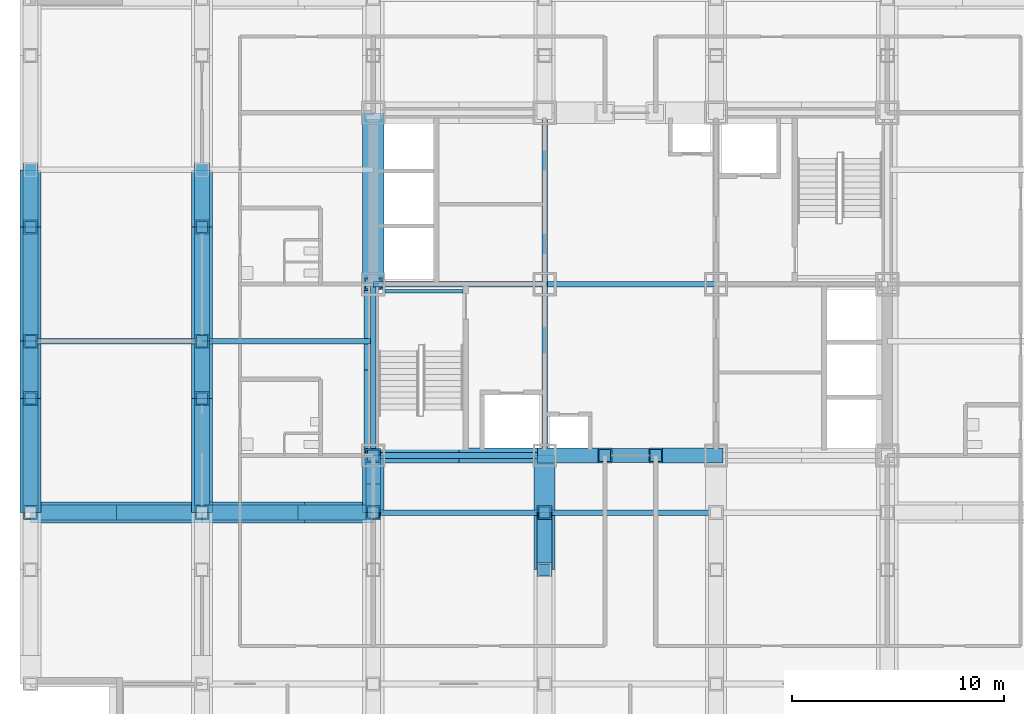
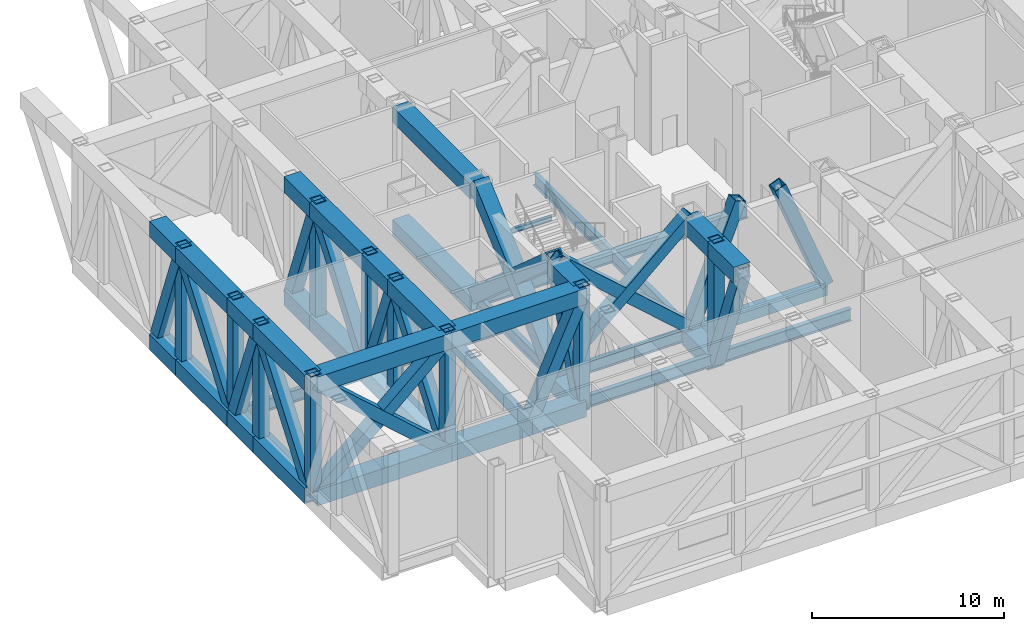
# One storey, part 2 of 13: 59 members, 12 beams.
"""IFC4 building model written with IfcOpenShell, lengths in metres."""

import ifcopenshell
import ifcopenshell.guid

model = None  # the IFC model being written
_history = None  # IfcOwnerHistory: only IFC2X3 demands one
_inside = {}  # id of a spatial element -> (the spatial element, [elements in it])
_under = {}  # id of a project, library or spatial element -> (it, [spatial elements below it])
_declared = {}  # id of a project -> (the project, [libraries it declares])
_typed = {}  # id of a type object -> (the type object, [elements of that type])
_made_of = {}  # id of a material, layer set ... -> (it, [elements and type objects made of it])


def new_model(schema):
    """Start an empty IFC model of exactly this schema.

    Asked for "IFC4X3", IfcOpenShell would pick the latest addendum, in which some entities
    have other attributes; the version numbers below select the first issue.
    IFC2X3 requires an IfcOwnerHistory on every rooted entity: one is made here for all.
    """
    global model, _history
    if schema == "IFC4X3":
        model = ifcopenshell.file(schema_version=(4, 3, 0, 0))
    else:
        model = ifcopenshell.file(schema=schema)
    _inside.clear()
    _under.clear()
    _declared.clear()
    _typed.clear()
    _made_of.clear()
    _history = None
    if model.schema == "IFC2X3":
        org = make("IfcOrganization", Name="unknown")
        user = make(
            "IfcPersonAndOrganization",
            ThePerson=make("IfcPerson", FamilyName="unknown"),
            TheOrganization=org,
        )
        app = make(
            "IfcApplication",
            ApplicationDeveloper=org,
            Version="unknown",
            ApplicationFullName="unknown",
            ApplicationIdentifier="unknown",
        )
        _history = make(
            "IfcOwnerHistory",
            OwningUser=user,
            OwningApplication=app,
            ChangeAction="ADDED",
            CreationDate=0,
        )
    return model


def make(cls, **values):
    """One entity of the class cls with the attributes given. An attribute that is None is left unset."""
    return model.create_entity(
        cls, **{name: value for name, value in values.items() if value is not None}
    )


def rooted(cls, **values):
    """An entity with a GlobalId (a new one), such as an element, a storey or a relation."""
    return make(cls, GlobalId=ifcopenshell.guid.new(), OwnerHistory=_history, **values)


def si_unit(unit_type, name, prefix=None):
    """IfcSIUnit, for example si_unit("LENGTHUNIT", "METRE", prefix="MILLI")."""
    return make("IfcSIUnit", UnitType=unit_type, Prefix=prefix, Name=name)


def assignment(units):
    """IfcUnitAssignment: the units of a project."""
    return None if units is None else make("IfcUnitAssignment", Units=units)


def point(xyz):
    """IfcCartesianPoint."""
    return None if xyz is None else make("IfcCartesianPoint", Coordinates=xyz)


def direction(xyz):
    """IfcDirection."""
    return None if xyz is None else make("IfcDirection", DirectionRatios=xyz)


def frame(location, z_axis=None, x_axis=None):
    """IfcAxis2Placement3D, a coordinate frame: its origin and axes. An axis left out is left unset."""
    return make(
        "IfcAxis2Placement3D",
        Location=point(location),
        Axis=direction(z_axis),
        RefDirection=direction(x_axis),
    )


def frame_2d(location, x_axis=None):
    """IfcAxis2Placement2D, a coordinate frame in the plane: its origin and x axis."""
    return make(
        "IfcAxis2Placement2D", Location=point(location), RefDirection=direction(x_axis)
    )


def origin():
    """The frame at (0, 0, 0) with its axes left unset."""
    return frame((0.0, 0.0, 0.0))


def origin_2d():
    """The frame at (0, 0) in the plane with its x axis left unset."""
    return frame_2d((0.0, 0.0))


def place(relative_to, where):
    """IfcLocalPlacement: puts the frame where relative to a parent placement (None: the world)."""
    return make(
        "IfcLocalPlacement", PlacementRelTo=relative_to, RelativePlacement=where
    )


def context(
    kind, dimensions, precision=None, world=None, true_north=None, identifier=None
):
    """IfcGeometricRepresentationContext, for example the 3D "Model" context."""
    return make(
        "IfcGeometricRepresentationContext",
        ContextIdentifier=identifier,
        ContextType=kind,
        CoordinateSpaceDimension=dimensions,
        Precision=precision,
        WorldCoordinateSystem=world,
        TrueNorth=true_north,
    )


def subcontext(parent, identifier, kind, view, scale=None):
    """IfcGeometricRepresentationSubContext, for example "Body" below "Model"."""
    return make(
        "IfcGeometricRepresentationSubContext",
        ContextIdentifier=identifier,
        ContextType=kind,
        ParentContext=parent,
        TargetScale=scale,
        TargetView=view,
    )


def project(units=None, contexts=None):
    """IfcProject with its units and contexts."""
    return rooted(
        "IfcProject",
        Name="project",
        RepresentationContexts=contexts,
        UnitsInContext=assignment(units),
    )


def spatial(cls, under=None, at=None, **own):
    """A site, building, storey or space (cls), placed at a placement, below another one or the project."""
    s = rooted(cls, ObjectPlacement=at, **own)
    if under is not None:
        _under.setdefault(under.id(), (under, []))[1].append(s)
    return s


def profile(cls, at=None, kind="AREA", **sizes):
    """A parametric profile (cls). Its sizes go by their IFC names, for example OverallWidth=200.0."""
    return make(cls, ProfileType=kind, Position=at, **sizes)


def hollow_rectangle(**sizes):
    """IfcRectangleHollowProfileDef."""
    return profile("IfcRectangleHollowProfileDef", **sizes)


def i_section(**sizes):
    """IfcIShapeProfileDef."""
    return profile("IfcIShapeProfileDef", **sizes)


def extrude(swept, where, along, depth):
    """IfcExtrudedAreaSolid: the profile swept, set in the frame where, extruded along a direction by depth."""
    return make(
        "IfcExtrudedAreaSolid",
        SweptArea=swept,
        Position=where,
        ExtrudedDirection=direction(along),
        Depth=depth,
    )


def shape(context_of_items, identifier, shape_type, items):
    """IfcShapeRepresentation: the items that make up one representation, for example the "Body"."""
    return make(
        "IfcShapeRepresentation",
        ContextOfItems=context_of_items,
        RepresentationIdentifier=identifier,
        RepresentationType=shape_type,
        Items=items,
    )


def material(Name=None, Category=None):
    """IfcMaterial."""
    return make("IfcMaterial", Name=Name, Category=Category)


def material_profile(
    of_material, cross_section, Name=None, Category=None, Priority=None
):
    """IfcMaterialProfile: a cross section and its material."""
    return make(
        "IfcMaterialProfile",
        Name=Name,
        Material=of_material,
        Profile=cross_section,
        Priority=Priority,
        Category=Category,
    )


def profile_set(profiles, Name=None, composite=None):
    """IfcMaterialProfileSet."""
    return make(
        "IfcMaterialProfileSet",
        Name=Name,
        MaterialProfiles=profiles,
        CompositeProfile=composite,
    )


def made_of(thing, what):
    """Note that an element or type object is made of a material, layer set ...; save() writes the relation."""
    if what is not None:
        _made_of.setdefault(what.id(), (what, []))[1].append(thing)
    return thing


def type_object(cls, material=None, **own):
    """A type object (cls), such as IfcWallType, which elements share."""
    return made_of(rooted(cls, **own), material)


def element(
    cls,
    number,
    at=None,
    inside=None,
    cuts=None,
    type_object=None,
    material=None,
    context=None,
    identifier="Body",
    shape_type=None,
    held_by="IfcProductDefinitionShape",
    body=None,
    shapes=None,
    **own,
):
    """One element of the class cls, such as IfcWall. Its Tag is "e" and its number.

    at: its placement. inside: the storey or other place that contains it. cuts: it is an
    opening in that element (IfcRelVoidsElement). A single representation is given by context,
    identifier, shape_type and body (its items); several are given by shapes. held_by: the class
    of the entity that holds the representations. save() writes the other relations.
    """
    e = rooted(cls, Tag="e%d" % number, ObjectPlacement=at, **own)
    if body is not None:
        shapes = [shape(context, identifier, shape_type, body)]
    if shapes is not None:
        e.Representation = make(held_by, Representations=shapes)
    if inside is not None:
        _inside.setdefault(inside.id(), (inside, []))[1].append(e)
    if cuts is not None:
        rooted(
            "IfcRelVoidsElement", RelatingBuildingElement=cuts, RelatedOpeningElement=e
        )
    if type_object is not None:
        _typed.setdefault(type_object.id(), (type_object, []))[1].append(e)
    return made_of(e, material)


def aggregate(whole, parts):
    """IfcRelAggregates: a whole, such as a stair, and the parts it consists of."""
    return rooted("IfcRelAggregates", RelatingObject=whole, RelatedObjects=parts)


def save(model, path):
    """Write the relations noted so far, then the file.

    IfcRelAggregates (storeys below a building ...), IfcRelContainedInSpatialStructure (elements
    in a storey), IfcRelDefinesByType, IfcRelAssociatesMaterial and IfcRelDeclares: one each for
    every whole, place, type object, material and project.
    """
    for whole, parts in _under.values():
        aggregate(whole, parts)
    for where, things in _inside.values():
        rooted(
            "IfcRelContainedInSpatialStructure",
            RelatedElements=things,
            RelatingStructure=where,
        )
    for kind, things in _typed.values():
        rooted("IfcRelDefinesByType", RelatedObjects=things, RelatingType=kind)
    for what, things in _made_of.values():
        rooted("IfcRelAssociatesMaterial", RelatedObjects=things, RelatingMaterial=what)
    for by, libraries in _declared.values():
        rooted("IfcRelDeclares", RelatingContext=by, RelatedDefinitions=libraries)
    model.write(path)


model = new_model("IFC4")

# Units and contexts
model_context = context("Model", 3, precision=1e-05, world=origin(), true_north=direction((0.0, 1.0)))
body_context = subcontext(model_context, "Body", "Model", "MODEL_VIEW")
ifc_project = project(units=[si_unit("LENGTHUNIT", "METRE"), si_unit("AREAUNIT", "SQUARE_METRE"), si_unit("VOLUMEUNIT", "CUBIC_METRE"), si_unit("PLANEANGLEUNIT", "RADIAN"), si_unit("MASSUNIT", "GRAM", prefix="KILO")], contexts=[model_context])

# Site, building, storey
site_placement = place(None, origin())
site = spatial("IfcSite", under=ifc_project, at=site_placement, CompositionType="ELEMENT")
building_placement = place(site_placement, origin())
building = spatial("IfcBuilding", under=site, at=building_placement, Name="Kopane Lantern Tower", CompositionType="ELEMENT")
storey_placement = place(building_placement, frame((0.0, 0.0, 157.800048828125)))
storey = spatial("IfcBuildingStorey", under=building, at=storey_placement, Name="L41", CompositionType="ELEMENT", Elevation=157.800048828125)

# Members
ifc_material_1 = material(Name="Steel S355JR", Category="steel")
ifc_material_profile_1 = material_profile(ifc_material_1, hollow_rectangle(XDim=0.699951171875, YDim=0.699951171875, WallThickness=0.06005859375, at=origin_2d()), Name="BOX 700x700x60")
ifc_profile_set_1 = profile_set([ifc_material_profile_1], Name="Steel S355JR")
member_type_1 = type_object("IfcMemberType", Name="BRACE BOX 700x700x60", PredefinedType="BRACE", material=ifc_profile_set_1)
for number, where, z_axis, x_axis, name in (
    (1, (16.199951171875, 24.300048828125, -0.25), (0.747415533118, 0.0, 0.664356847525), (0.0, 1.0, 0.0), "Core brace L41"),
    (2, (24.300048828125, 24.300048828125, -0.25), (-0.747415533118, 0.0, 0.664356847525), (0.0, -1.0, 0.0), "Core brace L41"),
):
    element("IfcMember", number, at=place(storey_placement, frame(where, z_axis=z_axis, x_axis=x_axis)), inside=storey, type_object=member_type_1, Name=name, PredefinedType="BRACE", context=body_context, shape_type="SweptSolid", body=[
        extrude(hollow_rectangle(XDim=0.699951171875, YDim=0.699951171875, WallThickness=0.06005859375, at=origin_2d()), origin(), (0.0, 0.0, 1.0), 10.83740234375),
    ])
for number, where, z_axis, x_axis, name in (
    (3, (24.300048828125, 24.300048828125, -0.25), (0.368034254187, 0.0, 0.929812232521), (0.0, 1.0, 0.0), "Core brace L41"),
    (4, (32.39990234375, 24.300048828125, -0.25), (-0.368034254187, 0.0, 0.929812232521), (0.0, -1.0, 0.0), "Core brace L41"),
):
    element("IfcMember", number, at=place(storey_placement, frame(where, z_axis=z_axis, x_axis=x_axis)), inside=storey, type_object=member_type_1, Name=name, PredefinedType="BRACE", context=body_context, shape_type="SweptSolid", body=[
        extrude(hollow_rectangle(XDim=0.699951171875, YDim=0.699951171875, WallThickness=0.06005859375, at=origin_2d()), origin(), (0.0, 0.0, 1.0), 7.743408203125),
    ])
ifc_material_2 = material(Name="Steel S355JR", Category="steel")
ifc_material_profile_2 = material_profile(ifc_material_2, hollow_rectangle(XDim=0.89990234375, YDim=0.89990234375, WallThickness=0.090087890625, at=origin_2d()), Name="BOX 900x900x90")
ifc_profile_set_2 = profile_set([ifc_material_profile_2], Name="Steel S355JR")
member_type_2 = type_object("IfcMemberType", Name="BRACE BOX 900x900x90", PredefinedType="BRACE", material=ifc_profile_set_2)
for number, where, z_axis, x_axis, name in (
    (5, (16.199951171875, 24.300048828125, -0.25), (0.0, 0.747405589929, 0.664368033655), (-1.0, 0.0, 0.0), "Core brace L41"),
    (6, (16.199951171875, 32.39990234375, -0.25), (0.0, -0.747405589929, 0.664368033655), (1.0, 0.0, 0.0), "Core brace L41"),
):
    element("IfcMember", number, at=place(storey_placement, frame(where, z_axis=z_axis, x_axis=x_axis)), inside=storey, type_object=member_type_2, Name=name, PredefinedType="BRACE", context=body_context, shape_type="SweptSolid", body=[
        extrude(hollow_rectangle(XDim=0.89990234375, YDim=0.89990234375, WallThickness=0.090087890625, at=origin_2d()), origin(), (0.0, 0.0, 1.0), 10.83740234375),
    ])

# Beams
ifc_material_3 = material(Name="Steel S355JR", Category="steel")
ifc_material_profile_3 = material_profile(ifc_material_3, i_section(OverallWidth=0.2666015625, OverallDepth=0.76220703125, WebThickness=0.014404296875, FlangeThickness=0.021484375, FilletRadius=0.0166015625, at=origin_2d()), Name="UB 762x267x173")
ifc_profile_set_3 = profile_set([ifc_material_profile_3], Name="Steel S355JR")
beam_type_1 = type_object("IfcBeamType", Name="CORE BEAM UB 762x267x173", PredefinedType="BEAM", material=ifc_profile_set_3)
beam_1_placement = place(storey_placement, frame((16.199951171875, 32.39990234375, -0.631103515625), z_axis=(1.0, 0.0, 0.0), x_axis=(0.0, 1.0, 0.0)))
element("IfcBeam", 7, at=beam_1_placement, inside=storey, type_object=beam_type_1, Name="Core Beam L41", PredefinedType="BEAM", context=body_context, shape_type="SweptSolid", body=[
    extrude(i_section(OverallWidth=0.2666015625, OverallDepth=0.76220703125, WebThickness=0.014404296875, FlangeThickness=0.021484375, FilletRadius=0.0166015625, at=origin_2d()), origin(), (0.0, 0.0, 1.0), 8.10009765625),
])
beam_2_placement = place(storey_placement, frame((24.300048828125, 24.300048828125, -0.631103515625), z_axis=(0.0, 1.0, 0.0), x_axis=(-1.0, 0.0, 0.0)))
element("IfcBeam", 8, at=beam_2_placement, inside=storey, type_object=beam_type_1, Name="Core Beam L41", PredefinedType="BEAM", context=body_context, shape_type="SweptSolid", body=[
    extrude(i_section(OverallWidth=0.2666015625, OverallDepth=0.76220703125, WebThickness=0.014404296875, FlangeThickness=0.021484375, FilletRadius=0.0166015625, at=origin_2d()), origin(), (0.0, 0.0, 1.0), 8.099853515625),
])
beam_3_placement = place(storey_placement, frame((24.300048828125, 32.39990234375, -0.631103515625), z_axis=(0.0, 1.0, 0.0), x_axis=(-1.0, 0.0, 0.0)))
element("IfcBeam", 9, at=beam_3_placement, inside=storey, type_object=beam_type_1, Name="Core Beam L41", PredefinedType="BEAM", context=body_context, shape_type="SweptSolid", body=[
    extrude(i_section(OverallWidth=0.2666015625, OverallDepth=0.76220703125, WebThickness=0.014404296875, FlangeThickness=0.021484375, FilletRadius=0.0166015625, at=origin_2d()), origin(), (0.0, 0.0, 1.0), 8.10009765625),
])
beam_4_placement = place(storey_placement, frame((24.300048828125, 32.39990234375, -0.631103515625), z_axis=(1.0, 0.0, 0.0), x_axis=(0.0, 1.0, 0.0)))
element("IfcBeam", 10, at=beam_4_placement, inside=storey, type_object=beam_type_1, Name="Core Beam L41", PredefinedType="BEAM", context=body_context, shape_type="SweptSolid", body=[
    extrude(i_section(OverallWidth=0.2666015625, OverallDepth=0.76220703125, WebThickness=0.014404296875, FlangeThickness=0.021484375, FilletRadius=0.0166015625, at=origin_2d()), origin(), (0.0, 0.0, 1.0), 8.099853515625),
])
ifc_material_4 = material(Name="Steel S355JR", Category="steel")
ifc_material_profile_4 = material_profile(ifc_material_4, i_section(OverallWidth=0.26806640625, OverallDepth=0.769775390625, WebThickness=0.015625, FlangeThickness=0.025390625, FilletRadius=0.0166015625, at=origin_2d()), Name="UB 762x267x197")
ifc_profile_set_4 = profile_set([ifc_material_profile_4], Name="Steel S355JR")
beam_type_2 = type_object("IfcBeamType", Name="GIRDER UB 762x267x197", PredefinedType="BEAM", material=ifc_profile_set_4)
beam_5_placement = place(storey_placement, frame((0.0, 29.699951171875, -0.635009765625), z_axis=(1.0, 0.0, 0.0), x_axis=(0.0, 1.0, 0.0)))
element("IfcBeam", 11, at=beam_5_placement, inside=storey, type_object=beam_type_2, Name="Girder L41", PredefinedType="BEAM", context=body_context, shape_type="SweptSolid", body=[
    extrude(i_section(OverallWidth=0.26806640625, OverallDepth=0.769775390625, WebThickness=0.015625, FlangeThickness=0.025390625, FilletRadius=0.0166015625, at=origin_2d()), origin(), (0.0, 0.0, 1.0), 8.10009765625),
])
beam_6_placement = place(storey_placement, frame((8.10009765625, 29.699951171875, -0.635009765625), z_axis=(1.0, 0.0, 0.0), x_axis=(0.0, 1.0, 0.0)))
element("IfcBeam", 12, at=beam_6_placement, inside=storey, type_object=beam_type_2, Name="Girder L41", PredefinedType="BEAM", context=body_context, shape_type="SweptSolid", body=[
    extrude(i_section(OverallWidth=0.26806640625, OverallDepth=0.769775390625, WebThickness=0.015625, FlangeThickness=0.025390625, FilletRadius=0.0166015625, at=origin_2d()), origin(), (0.0, 0.0, 1.0), 8.099853515625),
])
beam_7_placement = place(storey_placement, frame((16.199951171875, 21.60009765625, -0.635009765625), z_axis=(1.0, 0.0, 0.0), x_axis=(0.0, 1.0, 0.0)))
element("IfcBeam", 13, at=beam_7_placement, inside=storey, type_object=beam_type_2, Name="Girder L41", PredefinedType="BEAM", context=body_context, shape_type="SweptSolid", body=[
    extrude(i_section(OverallWidth=0.26806640625, OverallDepth=0.769775390625, WebThickness=0.015625, FlangeThickness=0.025390625, FilletRadius=0.0166015625, at=origin_2d()), origin(), (0.0, 0.0, 1.0), 8.10009765625),
])
beam_8_placement = place(storey_placement, frame((16.199951171875, 24.300048828125, -0.635009765625), z_axis=(0.0, 1.0, 0.0), x_axis=(-1.0, 0.0, 0.0)))
element("IfcBeam", 14, at=beam_8_placement, inside=storey, type_object=beam_type_2, Name="Girder L41", PredefinedType="BEAM", context=body_context, shape_type="SweptSolid", body=[
    extrude(i_section(OverallWidth=0.26806640625, OverallDepth=0.769775390625, WebThickness=0.015625, FlangeThickness=0.025390625, FilletRadius=0.0166015625, at=origin_2d()), origin(), (0.0, 0.0, 1.0), 8.099853515625),
])
beam_9_placement = place(storey_placement, frame((16.199951171875, 24.300048828125, -0.635009765625), z_axis=(1.0, 0.0, 0.0), x_axis=(0.0, 1.0, 0.0)))
element("IfcBeam", 15, at=beam_9_placement, inside=storey, type_object=beam_type_2, Name="Girder L41", PredefinedType="BEAM", context=body_context, shape_type="SweptSolid", body=[
    extrude(i_section(OverallWidth=0.26806640625, OverallDepth=0.769775390625, WebThickness=0.015625, FlangeThickness=0.025390625, FilletRadius=0.0166015625, at=origin_2d()), origin(), (0.0, 0.0, 1.0), 8.10009765625),
])
beam_10_placement = place(storey_placement, frame((24.300048828125, 21.60009765625, -0.635009765625), z_axis=(1.0, 0.0, 0.0), x_axis=(0.0, 1.0, 0.0)))
element("IfcBeam", 16, at=beam_10_placement, inside=storey, type_object=beam_type_2, Name="Girder L41", PredefinedType="BEAM", context=body_context, shape_type="SweptSolid", body=[
    extrude(i_section(OverallWidth=0.26806640625, OverallDepth=0.769775390625, WebThickness=0.015625, FlangeThickness=0.025390625, FilletRadius=0.0166015625, at=origin_2d()), origin(), (0.0, 0.0, 1.0), 8.099853515625),
])
ifc_material_5 = material(Name="Steel S355JR", Category="steel")
ifc_material_profile_5 = material_profile(ifc_material_5, hollow_rectangle(XDim=0.64990234375, YDim=0.64990234375, WallThickness=0.070068359375, at=origin_2d()), Name="BOX 650x650x70")
ifc_profile_set_5 = profile_set([ifc_material_profile_5], Name="Steel S355JR")
beam_type_3 = type_object("IfcBeamType", Name="LINK BEAM BOX 650x650x70", PredefinedType="BEAM", material=ifc_profile_set_5)
beam_11_placement = place(storey_placement, frame((24.300048828125, 24.300048828125, -0.574951171875), z_axis=(1.0, 0.0, 0.0), x_axis=(0.0, 1.0, 0.0)))
element("IfcBeam", 17, at=beam_11_placement, inside=storey, type_object=beam_type_3, Name="Link Beam L41", PredefinedType="BEAM", context=body_context, shape_type="SweptSolid", body=[
    extrude(hollow_rectangle(XDim=0.64990234375, YDim=0.64990234375, WallThickness=0.070068359375, at=origin_2d()), origin(), (0.0, 0.0, 1.0), 8.099853515625),
])
ifc_material_6 = material(Name="Steel S355JR", Category="steel")
ifc_material_profile_6 = material_profile(ifc_material_6, i_section(OverallWidth=0.1650390625, OverallDepth=0.303466796875, WebThickness=0.006103515625, FlangeThickness=0.01025390625, FilletRadius=0.0087890625, at=origin_2d()), Name="UB 305x165x40")
ifc_profile_set_6 = profile_set([ifc_material_profile_6], Name="Steel S355JR")
beam_type_4 = type_object("IfcBeamType", Name="STAIR LANDING BEAM UB 305x165x40", PredefinedType="BEAM", material=ifc_profile_set_6)
beam_12_placement = place(storey_placement, frame((16.75, 32.0673828125, 3.33203125), z_axis=(1.0, 0.0, 0.0), x_axis=(0.0, 1.0, 0.0)))
element("IfcBeam", 18, at=beam_12_placement, inside=storey, type_object=beam_type_4, Name="Stair landing beam ST1 L41", PredefinedType="BEAM", context=body_context, shape_type="SweptSolid", body=[
    extrude(i_section(OverallWidth=0.1650390625, OverallDepth=0.303466796875, WebThickness=0.006103515625, FlangeThickness=0.01025390625, FilletRadius=0.0087890625, at=origin_2d()), origin(), (0.0, 0.0, 1.0), 3.699951171875),
])

# Members
ifc_material_7 = material(Name="Steel S355JR", Category="steel")
ifc_material_profile_7 = material_profile(ifc_material_7, hollow_rectangle(XDim=1.0, YDim=1.0, WallThickness=0.090087890625, at=origin_2d()), Name="BOX 1000x1000x90")
ifc_profile_set_7 = profile_set([ifc_material_profile_7], Name="Steel S355JR")
member_type_3 = type_object("IfcMemberType", Name="TRUSS CHORD BOX 1000x1000x90", PredefinedType="CHORD", material=ifc_profile_set_7)
member_1_placement = place(storey_placement, frame((0.0, 21.60009765625, -0.75), z_axis=(0.0, 1.0, 0.0), x_axis=(-1.0, 0.0, 0.0)))
element("IfcMember", 19, at=member_1_placement, inside=storey, type_object=member_type_3, Name="Transfer truss 2 L41 truss chord", PredefinedType="CHORD", context=body_context, shape_type="SweptSolid", body=[
    extrude(hollow_rectangle(XDim=1.0, YDim=1.0, WallThickness=0.090087890625, at=origin_2d()), origin(), (0.0, 0.0, 1.0), 5.39990234375),
])
member_2_placement = place(storey_placement, frame((0.0, 27.0, -0.75), z_axis=(0.0, 1.0, 0.0), x_axis=(-1.0, 0.0, 0.0)))
element("IfcMember", 20, at=member_2_placement, inside=storey, type_object=member_type_3, Name="Transfer truss 2 L41 truss chord", PredefinedType="CHORD", context=body_context, shape_type="SweptSolid", body=[
    extrude(hollow_rectangle(XDim=1.0, YDim=1.0, WallThickness=0.090087890625, at=origin_2d()), origin(), (0.0, 0.0, 1.0), 2.699951171875),
])
member_3_placement = place(storey_placement, frame((0.0, 29.699951171875, -0.75), z_axis=(0.0, 1.0, 0.0), x_axis=(-1.0, 0.0, 0.0)))
element("IfcMember", 21, at=member_3_placement, inside=storey, type_object=member_type_3, Name="Transfer truss 2 L41 truss chord", PredefinedType="CHORD", context=body_context, shape_type="SweptSolid", body=[
    extrude(hollow_rectangle(XDim=1.0, YDim=1.0, WallThickness=0.090087890625, at=origin_2d()), origin(), (0.0, 0.0, 1.0), 5.400146484375),
])
member_4_placement = place(storey_placement, frame((0.0, 35.10009765625, -0.75), z_axis=(0.0, 1.0, 0.0), x_axis=(-1.0, 0.0, 0.0)))
element("IfcMember", 22, at=member_4_placement, inside=storey, type_object=member_type_3, Name="Transfer truss 2 L41 truss chord", PredefinedType="CHORD", context=body_context, shape_type="SweptSolid", body=[
    extrude(hollow_rectangle(XDim=1.0, YDim=1.0, WallThickness=0.090087890625, at=origin_2d()), origin(), (0.0, 0.0, 1.0), 2.699951171875),
])
member_5_placement = place(storey_placement, frame((0.0, 21.60009765625, 6.449951171875), z_axis=(0.0, 1.0, 0.0), x_axis=(-1.0, 0.0, 0.0)))
element("IfcMember", 23, at=member_5_placement, inside=storey, type_object=member_type_3, Name="Transfer truss 2 L41 truss chord", PredefinedType="CHORD", context=body_context, shape_type="SweptSolid", body=[
    extrude(hollow_rectangle(XDim=1.0, YDim=1.0, WallThickness=0.090087890625, at=origin_2d()), origin(), (0.0, 0.0, 1.0), 5.39990234375),
])
member_6_placement = place(storey_placement, frame((0.0, 27.0, 6.449951171875), z_axis=(0.0, 1.0, 0.0), x_axis=(-1.0, 0.0, 0.0)))
element("IfcMember", 24, at=member_6_placement, inside=storey, type_object=member_type_3, Name="Transfer truss 2 L41 truss chord", PredefinedType="CHORD", context=body_context, shape_type="SweptSolid", body=[
    extrude(hollow_rectangle(XDim=1.0, YDim=1.0, WallThickness=0.090087890625, at=origin_2d()), origin(), (0.0, 0.0, 1.0), 2.699951171875),
])
member_7_placement = place(storey_placement, frame((0.0, 29.699951171875, 6.449951171875), z_axis=(0.0, 1.0, 0.0), x_axis=(-1.0, 0.0, 0.0)))
element("IfcMember", 25, at=member_7_placement, inside=storey, type_object=member_type_3, Name="Transfer truss 2 L41 truss chord", PredefinedType="CHORD", context=body_context, shape_type="SweptSolid", body=[
    extrude(hollow_rectangle(XDim=1.0, YDim=1.0, WallThickness=0.090087890625, at=origin_2d()), origin(), (0.0, 0.0, 1.0), 5.400146484375),
])
member_8_placement = place(storey_placement, frame((0.0, 35.10009765625, 6.449951171875), z_axis=(0.0, 1.0, 0.0), x_axis=(-1.0, 0.0, 0.0)))
element("IfcMember", 26, at=member_8_placement, inside=storey, type_object=member_type_3, Name="Transfer truss 2 L41 truss chord", PredefinedType="CHORD", context=body_context, shape_type="SweptSolid", body=[
    extrude(hollow_rectangle(XDim=1.0, YDim=1.0, WallThickness=0.090087890625, at=origin_2d()), origin(), (0.0, 0.0, 1.0), 2.699951171875),
])
member_9_placement = place(storey_placement, frame((8.10009765625, 21.60009765625, -0.75), z_axis=(0.0, 1.0, 0.0), x_axis=(-1.0, 0.0, 0.0)))
element("IfcMember", 27, at=member_9_placement, inside=storey, type_object=member_type_3, Name="Transfer truss 3 L41 truss chord", PredefinedType="CHORD", context=body_context, shape_type="SweptSolid", body=[
    extrude(hollow_rectangle(XDim=1.0, YDim=1.0, WallThickness=0.090087890625, at=origin_2d()), origin(), (0.0, 0.0, 1.0), 5.39990234375),
])
member_10_placement = place(storey_placement, frame((8.10009765625, 27.0, -0.75), z_axis=(0.0, 1.0, 0.0), x_axis=(-1.0, 0.0, 0.0)))
element("IfcMember", 28, at=member_10_placement, inside=storey, type_object=member_type_3, Name="Transfer truss 3 L41 truss chord", PredefinedType="CHORD", context=body_context, shape_type="SweptSolid", body=[
    extrude(hollow_rectangle(XDim=1.0, YDim=1.0, WallThickness=0.090087890625, at=origin_2d()), origin(), (0.0, 0.0, 1.0), 2.699951171875),
])
member_11_placement = place(storey_placement, frame((8.10009765625, 29.699951171875, -0.75), z_axis=(0.0, 1.0, 0.0), x_axis=(-1.0, 0.0, 0.0)))
element("IfcMember", 29, at=member_11_placement, inside=storey, type_object=member_type_3, Name="Transfer truss 3 L41 truss chord", PredefinedType="CHORD", context=body_context, shape_type="SweptSolid", body=[
    extrude(hollow_rectangle(XDim=1.0, YDim=1.0, WallThickness=0.090087890625, at=origin_2d()), origin(), (0.0, 0.0, 1.0), 5.400146484375),
])
member_12_placement = place(storey_placement, frame((8.10009765625, 35.10009765625, -0.75), z_axis=(0.0, 1.0, 0.0), x_axis=(-1.0, 0.0, 0.0)))
element("IfcMember", 30, at=member_12_placement, inside=storey, type_object=member_type_3, Name="Transfer truss 3 L41 truss chord", PredefinedType="CHORD", context=body_context, shape_type="SweptSolid", body=[
    extrude(hollow_rectangle(XDim=1.0, YDim=1.0, WallThickness=0.090087890625, at=origin_2d()), origin(), (0.0, 0.0, 1.0), 2.699951171875),
])
member_13_placement = place(storey_placement, frame((8.10009765625, 21.60009765625, 6.449951171875), z_axis=(0.0, 1.0, 0.0), x_axis=(-1.0, 0.0, 0.0)))
element("IfcMember", 31, at=member_13_placement, inside=storey, type_object=member_type_3, Name="Transfer truss 3 L41 truss chord", PredefinedType="CHORD", context=body_context, shape_type="SweptSolid", body=[
    extrude(hollow_rectangle(XDim=1.0, YDim=1.0, WallThickness=0.090087890625, at=origin_2d()), origin(), (0.0, 0.0, 1.0), 5.39990234375),
])
member_14_placement = place(storey_placement, frame((8.10009765625, 27.0, 6.449951171875), z_axis=(0.0, 1.0, 0.0), x_axis=(-1.0, 0.0, 0.0)))
element("IfcMember", 32, at=member_14_placement, inside=storey, type_object=member_type_3, Name="Transfer truss 3 L41 truss chord", PredefinedType="CHORD", context=body_context, shape_type="SweptSolid", body=[
    extrude(hollow_rectangle(XDim=1.0, YDim=1.0, WallThickness=0.090087890625, at=origin_2d()), origin(), (0.0, 0.0, 1.0), 2.699951171875),
])
member_15_placement = place(storey_placement, frame((8.10009765625, 29.699951171875, 6.449951171875), z_axis=(0.0, 1.0, 0.0), x_axis=(-1.0, 0.0, 0.0)))
element("IfcMember", 33, at=member_15_placement, inside=storey, type_object=member_type_3, Name="Transfer truss 3 L41 truss chord", PredefinedType="CHORD", context=body_context, shape_type="SweptSolid", body=[
    extrude(hollow_rectangle(XDim=1.0, YDim=1.0, WallThickness=0.090087890625, at=origin_2d()), origin(), (0.0, 0.0, 1.0), 5.400146484375),
])
for number, where, z_axis, x_axis, name in (
    (34, (8.10009765625, 35.10009765625, 6.449951171875), (0.0, 1.0, 0.0), (-1.0, 0.0, 0.0), "Transfer truss 3 L41 truss chord"),
    (35, (16.199951171875, 21.60009765625, -0.75), (0.0, 1.0, 0.0), (-1.0, 0.0, 0.0), "Transfer truss 4 L41 truss chord"),
):
    element("IfcMember", number, at=place(storey_placement, frame(where, z_axis=z_axis, x_axis=x_axis)), inside=storey, type_object=member_type_3, Name=name, PredefinedType="CHORD", context=body_context, shape_type="SweptSolid", body=[
        extrude(hollow_rectangle(XDim=1.0, YDim=1.0, WallThickness=0.090087890625, at=origin_2d()), origin(), (0.0, 0.0, 1.0), 2.699951171875),
    ])
member_16_placement = place(storey_placement, frame((16.199951171875, 32.39990234375, -0.75), z_axis=(0.0, 1.0, 0.0), x_axis=(-1.0, 0.0, 0.0)))
element("IfcMember", 36, at=member_16_placement, inside=storey, type_object=member_type_3, Name="Transfer truss 4 L41 truss chord", PredefinedType="CHORD", context=body_context, shape_type="SweptSolid", body=[
    extrude(hollow_rectangle(XDim=1.0, YDim=1.0, WallThickness=0.090087890625, at=origin_2d()), origin(), (0.0, 0.0, 1.0), 8.10009765625),
])
member_17_placement = place(storey_placement, frame((16.199951171875, 21.60009765625, 6.449951171875), z_axis=(0.0, 1.0, 0.0), x_axis=(-1.0, 0.0, 0.0)))
element("IfcMember", 37, at=member_17_placement, inside=storey, type_object=member_type_3, Name="Transfer truss 4 L41 truss chord", PredefinedType="CHORD", context=body_context, shape_type="SweptSolid", body=[
    extrude(hollow_rectangle(XDim=1.0, YDim=1.0, WallThickness=0.090087890625, at=origin_2d()), origin(), (0.0, 0.0, 1.0), 2.699951171875),
])
member_18_placement = place(storey_placement, frame((16.199951171875, 32.39990234375, 6.449951171875), z_axis=(0.0, 1.0, 0.0), x_axis=(-1.0, 0.0, 0.0)))
element("IfcMember", 38, at=member_18_placement, inside=storey, type_object=member_type_3, Name="Transfer truss 4 L41 truss chord", PredefinedType="CHORD", context=body_context, shape_type="SweptSolid", body=[
    extrude(hollow_rectangle(XDim=1.0, YDim=1.0, WallThickness=0.090087890625, at=origin_2d()), origin(), (0.0, 0.0, 1.0), 8.10009765625),
])
member_19_placement = place(storey_placement, frame((24.300048828125, 21.60009765625, -0.75), z_axis=(0.0, 1.0, 0.0), x_axis=(-1.0, 0.0, 0.0)))
element("IfcMember", 39, at=member_19_placement, inside=storey, type_object=member_type_3, Name="Transfer truss 5 L41 truss chord", PredefinedType="CHORD", context=body_context, shape_type="SweptSolid", body=[
    extrude(hollow_rectangle(XDim=1.0, YDim=1.0, WallThickness=0.090087890625, at=origin_2d()), origin(), (0.0, 0.0, 1.0), 2.699951171875),
])
member_20_placement = place(storey_placement, frame((24.300048828125, 18.89990234375, 6.449951171875), z_axis=(0.0, 1.0, 0.0), x_axis=(-1.0, 0.0, 0.0)))
element("IfcMember", 40, at=member_20_placement, inside=storey, type_object=member_type_3, Name="Transfer truss 5 L41 truss chord", PredefinedType="CHORD", context=body_context, shape_type="SweptSolid", body=[
    extrude(hollow_rectangle(XDim=1.0, YDim=1.0, WallThickness=0.090087890625, at=origin_2d()), origin(), (0.0, 0.0, 1.0), 2.7001953125),
])
member_21_placement = place(storey_placement, frame((24.300048828125, 21.60009765625, 6.449951171875), z_axis=(0.0, 1.0, 0.0), x_axis=(-1.0, 0.0, 0.0)))
element("IfcMember", 41, at=member_21_placement, inside=storey, type_object=member_type_3, Name="Transfer truss 5 L41 truss chord", PredefinedType="CHORD", context=body_context, shape_type="SweptSolid", body=[
    extrude(hollow_rectangle(XDim=1.0, YDim=1.0, WallThickness=0.090087890625, at=origin_2d()), origin(), (0.0, 0.0, 1.0), 2.699951171875),
])
for number, where, z_axis, x_axis, name in (
    (42, (0.0, 21.60009765625, -0.75), (1.0, 0.0, 0.0), (0.0, 1.0, 0.0), "Outrigger truss W21.6 L41 truss chord"),
    (43, (0.0, 21.60009765625, 6.449951171875), (1.0, 0.0, 0.0), (0.0, 1.0, 0.0), "Outrigger truss W21.6 L41 truss chord"),
):
    element("IfcMember", number, at=place(storey_placement, frame(where, z_axis=z_axis, x_axis=x_axis)), inside=storey, type_object=member_type_3, Name=name, PredefinedType="CHORD", context=body_context, shape_type="SweptSolid", body=[
        extrude(hollow_rectangle(XDim=1.0, YDim=1.0, WallThickness=0.090087890625, at=origin_2d()), origin(), (0.0, 0.0, 1.0), 8.10009765625),
    ])
member_22_placement = place(storey_placement, frame((8.10009765625, 21.60009765625, -0.75), z_axis=(1.0, 0.0, 0.0), x_axis=(0.0, 1.0, 0.0)))
element("IfcMember", 44, at=member_22_placement, inside=storey, type_object=member_type_3, Name="Outrigger truss W21.6 L41 truss chord", PredefinedType="CHORD", context=body_context, shape_type="SweptSolid", body=[
    extrude(hollow_rectangle(XDim=1.0, YDim=1.0, WallThickness=0.090087890625, at=origin_2d()), origin(), (0.0, 0.0, 1.0), 4.85986328125),
])
member_23_placement = place(storey_placement, frame((12.9599609375, 21.60009765625, -0.75), z_axis=(1.0, 0.0, 0.0), x_axis=(0.0, 1.0, 0.0)))
element("IfcMember", 45, at=member_23_placement, inside=storey, type_object=member_type_3, Name="Outrigger truss W21.6 L41 truss chord", PredefinedType="CHORD", context=body_context, shape_type="SweptSolid", body=[
    extrude(hollow_rectangle(XDim=1.0, YDim=1.0, WallThickness=0.090087890625, at=origin_2d()), origin(), (0.0, 0.0, 1.0), 3.239990234375),
])
member_24_placement = place(storey_placement, frame((8.10009765625, 21.60009765625, 6.449951171875), z_axis=(1.0, 0.0, 0.0), x_axis=(0.0, 1.0, 0.0)))
element("IfcMember", 46, at=member_24_placement, inside=storey, type_object=member_type_3, Name="Outrigger truss W21.6 L41 truss chord", PredefinedType="CHORD", context=body_context, shape_type="SweptSolid", body=[
    extrude(hollow_rectangle(XDim=1.0, YDim=1.0, WallThickness=0.090087890625, at=origin_2d()), origin(), (0.0, 0.0, 1.0), 8.099853515625),
])
ifc_material_8 = material(Name="Steel S355JR", Category="steel")
ifc_material_profile_8 = material_profile(ifc_material_8, hollow_rectangle(XDim=0.699951171875, YDim=0.699951171875, WallThickness=0.070068359375, at=origin_2d()), Name="BOX 700x700x70")
ifc_profile_set_8 = profile_set([ifc_material_profile_8], Name="Steel S355JR")
member_type_4 = type_object("IfcMemberType", Name="TRUSS DIAGONAL BOX 700x700x70", PredefinedType="BRACE", material=ifc_profile_set_8)
member_25_placement = place(storey_placement, frame((0.0, 21.60009765625, -0.75), z_axis=(0.0, 0.599995659666, 0.800003255232), x_axis=(-1.0, 0.0, 0.0)))
element("IfcMember", 47, at=member_25_placement, inside=storey, type_object=member_type_4, Name="Transfer truss 2 L41 truss diagonal", PredefinedType="BRACE", context=body_context, shape_type="SweptSolid", body=[
    extrude(hollow_rectangle(XDim=0.699951171875, YDim=0.699951171875, WallThickness=0.070068359375, at=origin_2d()), origin(), (0.0, 0.0, 1.0), 9.0),
])
member_26_placement = place(storey_placement, frame((0.0, 29.699951171875, -0.75), z_axis=(0.0, -0.351119962166, 0.936330482345), x_axis=(1.0, 0.0, 0.0)))
element("IfcMember", 48, at=member_26_placement, inside=storey, type_object=member_type_4, Name="Transfer truss 2 L41 truss diagonal", PredefinedType="BRACE", context=body_context, shape_type="SweptSolid", body=[
    extrude(hollow_rectangle(XDim=0.699951171875, YDim=0.699951171875, WallThickness=0.070068359375, at=origin_2d()), origin(), (0.0, 0.0, 1.0), 7.689453125),
])
member_27_placement = place(storey_placement, frame((0.0, 29.699951171875, -0.75), z_axis=(0.0, 0.600013020683, 0.799990234322), x_axis=(-1.0, 0.0, 0.0)))
element("IfcMember", 49, at=member_27_placement, inside=storey, type_object=member_type_4, Name="Transfer truss 2 L41 truss diagonal", PredefinedType="BRACE", context=body_context, shape_type="SweptSolid", body=[
    extrude(hollow_rectangle(XDim=0.699951171875, YDim=0.699951171875, WallThickness=0.070068359375, at=origin_2d()), origin(), (0.0, 0.0, 1.0), 9.0),
])
member_28_placement = place(storey_placement, frame((0.0, 37.800048828125, -0.75), z_axis=(0.0, -0.351119962166, 0.936330482345), x_axis=(1.0, 0.0, 0.0)))
element("IfcMember", 50, at=member_28_placement, inside=storey, type_object=member_type_4, Name="Transfer truss 2 L41 truss diagonal", PredefinedType="BRACE", context=body_context, shape_type="SweptSolid", body=[
    extrude(hollow_rectangle(XDim=0.699951171875, YDim=0.699951171875, WallThickness=0.070068359375, at=origin_2d()), origin(), (0.0, 0.0, 1.0), 7.689453125),
])
member_29_placement = place(storey_placement, frame((8.10009765625, 21.60009765625, -0.75), z_axis=(0.0, 0.599995659666, 0.800003255232), x_axis=(-1.0, 0.0, 0.0)))
element("IfcMember", 51, at=member_29_placement, inside=storey, type_object=member_type_4, Name="Transfer truss 3 L41 truss diagonal", PredefinedType="BRACE", context=body_context, shape_type="SweptSolid", body=[
    extrude(hollow_rectangle(XDim=0.699951171875, YDim=0.699951171875, WallThickness=0.070068359375, at=origin_2d()), origin(), (0.0, 0.0, 1.0), 9.0),
])
member_30_placement = place(storey_placement, frame((8.10009765625, 29.699951171875, -0.75), z_axis=(0.0, -0.351119962166, 0.936330482345), x_axis=(1.0, 0.0, 0.0)))
element("IfcMember", 52, at=member_30_placement, inside=storey, type_object=member_type_4, Name="Transfer truss 3 L41 truss diagonal", PredefinedType="BRACE", context=body_context, shape_type="SweptSolid", body=[
    extrude(hollow_rectangle(XDim=0.699951171875, YDim=0.699951171875, WallThickness=0.070068359375, at=origin_2d()), origin(), (0.0, 0.0, 1.0), 7.689453125),
])
member_31_placement = place(storey_placement, frame((8.10009765625, 29.699951171875, -0.75), z_axis=(0.0, 0.600013020683, 0.799990234322), x_axis=(-1.0, 0.0, 0.0)))
element("IfcMember", 53, at=member_31_placement, inside=storey, type_object=member_type_4, Name="Transfer truss 3 L41 truss diagonal", PredefinedType="BRACE", context=body_context, shape_type="SweptSolid", body=[
    extrude(hollow_rectangle(XDim=0.699951171875, YDim=0.699951171875, WallThickness=0.070068359375, at=origin_2d()), origin(), (0.0, 0.0, 1.0), 9.0),
])
member_32_placement = place(storey_placement, frame((8.10009765625, 37.800048828125, -0.75), z_axis=(0.0, -0.351119962166, 0.936330482345), x_axis=(1.0, 0.0, 0.0)))
element("IfcMember", 54, at=member_32_placement, inside=storey, type_object=member_type_4, Name="Transfer truss 3 L41 truss diagonal", PredefinedType="BRACE", context=body_context, shape_type="SweptSolid", body=[
    extrude(hollow_rectangle(XDim=0.699951171875, YDim=0.699951171875, WallThickness=0.070068359375, at=origin_2d()), origin(), (0.0, 0.0, 1.0), 7.689453125),
])
member_33_placement = place(storey_placement, frame((24.300048828125, 21.60009765625, -0.75), z_axis=(0.0, -0.351147797134, 0.936320043878), x_axis=(1.0, 0.0, 0.0)))
element("IfcMember", 55, at=member_33_placement, inside=storey, type_object=member_type_4, Name="Transfer truss 5 L41 truss diagonal", PredefinedType="BRACE", context=body_context, shape_type="SweptSolid", body=[
    extrude(hollow_rectangle(XDim=0.699951171875, YDim=0.699951171875, WallThickness=0.070068359375, at=origin_2d()), origin(), (0.0, 0.0, 1.0), 7.689697265625),
])
for number, where, z_axis, x_axis, name in (
    (56, (0.0, 21.60009765625, -0.75), (0.747415533118, 0.0, 0.664356847525), (0.0, 1.0, 0.0), "Outrigger truss W21.6 L41 truss diagonal"),
    (57, (8.10009765625, 21.60009765625, -0.75), (-0.747415533118, 0.0, 0.664356847525), (0.0, -1.0, 0.0), "Outrigger truss W21.6 L41 truss diagonal"),
):
    element("IfcMember", number, at=place(storey_placement, frame(where, z_axis=z_axis, x_axis=x_axis)), inside=storey, type_object=member_type_4, Name=name, PredefinedType="BRACE", context=body_context, shape_type="SweptSolid", body=[
        extrude(hollow_rectangle(XDim=0.699951171875, YDim=0.699951171875, WallThickness=0.070068359375, at=origin_2d()), origin(), (0.0, 0.0, 1.0), 10.83740234375),
    ])
member_34_placement = place(storey_placement, frame((8.10009765625, 21.60009765625, 6.449951171875), z_axis=(0.559464649039, 0.0, -0.828854213041), x_axis=(0.0, 1.0, 0.0)))
element("IfcMember", 58, at=member_34_placement, inside=storey, type_object=member_type_4, Name="Outrigger truss W21.6 L41 truss diagonal", PredefinedType="BRACE", context=body_context, shape_type="SweptSolid", body=[
    extrude(hollow_rectangle(XDim=0.699951171875, YDim=0.699951171875, WallThickness=0.070068359375, at=origin_2d()), origin(), (0.0, 0.0, 1.0), 8.6865234375),
])
member_35_placement = place(storey_placement, frame((16.199951171875, 21.60009765625, 6.449951171875), z_axis=(-0.410365963067, 0.0, -0.911920926592), x_axis=(0.0, -1.0, 0.0)))
element("IfcMember", 59, at=member_35_placement, inside=storey, type_object=member_type_4, Name="Outrigger truss W21.6 L41 truss diagonal", PredefinedType="BRACE", context=body_context, shape_type="SweptSolid", body=[
    extrude(hollow_rectangle(XDim=0.699951171875, YDim=0.699951171875, WallThickness=0.070068359375, at=origin_2d()), origin(), (0.0, 0.0, 1.0), 7.895263671875),
])
for number, where, z_axis, x_axis, name in (
    (60, (16.199951171875, 21.60009765625, -0.75), (0.0, 0.351119962166, 0.936330482345), (-1.0, 0.0, 0.0), "Outrigger truss W21.6 L41 truss diagonal"),
    (61, (16.199951171875, 24.300048828125, -0.75), (0.0, -0.351119962166, 0.936330482345), (1.0, 0.0, 0.0), "Outrigger truss W21.6 L41 truss diagonal"),
):
    element("IfcMember", number, at=place(storey_placement, frame(where, z_axis=z_axis, x_axis=x_axis)), inside=storey, type_object=member_type_4, Name=name, PredefinedType="BRACE", context=body_context, shape_type="SweptSolid", body=[
        extrude(hollow_rectangle(XDim=0.699951171875, YDim=0.699951171875, WallThickness=0.070068359375, at=origin_2d()), origin(), (0.0, 0.0, 1.0), 7.689453125),
    ])
ifc_material_9 = material(Name="Steel S355JR", Category="steel")
ifc_material_profile_9 = material_profile(ifc_material_9, hollow_rectangle(XDim=0.64990234375, YDim=0.64990234375, WallThickness=0.06005859375, at=origin_2d()), Name="BOX 650x650x60")
ifc_profile_set_9 = profile_set([ifc_material_profile_9], Name="Steel S355JR")
member_type_5 = type_object("IfcMemberType", Name="TRUSS POST BOX 650x650x60", PredefinedType="POST", material=ifc_profile_set_9)
for number, where, z_axis, x_axis, name in (
    (62, (0.0, 21.60009765625, -0.75), (0.0, 0.0, 1.0), (1.0, 0.0, 0.0), "Transfer truss 2 L41 truss post"),
    (63, (0.0, 27.0, -0.75), (0.0, 0.0, 1.0), (1.0, 0.0, 0.0), "Transfer truss 2 L41 truss post"),
    (64, (0.0, 29.699951171875, -0.75), (0.0, 0.0, 1.0), (1.0, 0.0, 0.0), "Transfer truss 2 L41 truss post"),
    (65, (0.0, 35.10009765625, -0.75), (0.0, 0.0, 1.0), (1.0, 0.0, 0.0), "Transfer truss 2 L41 truss post"),
    (66, (8.10009765625, 21.60009765625, -0.75), (0.0, 0.0, 1.0), (1.0, 0.0, 0.0), "Transfer truss 3 L41 truss post"),
    (67, (8.10009765625, 27.0, -0.75), (0.0, 0.0, 1.0), (1.0, 0.0, 0.0), "Transfer truss 3 L41 truss post"),
    (68, (8.10009765625, 29.699951171875, -0.75), (0.0, 0.0, 1.0), (1.0, 0.0, 0.0), "Transfer truss 3 L41 truss post"),
    (69, (8.10009765625, 35.10009765625, -0.75), (0.0, 0.0, 1.0), (1.0, 0.0, 0.0), "Transfer truss 3 L41 truss post"),
    (70, (16.199951171875, 21.60009765625, -0.75), (0.0, 0.0, 1.0), (1.0, 0.0, 0.0), "Transfer truss 4 L41 truss post"),
    (71, (24.300048828125, 21.60009765625, -0.75), (0.0, 0.0, 1.0), (1.0, 0.0, 0.0), "Transfer truss 5 L41 truss post"),
):
    element("IfcMember", number, at=place(storey_placement, frame(where, z_axis=z_axis, x_axis=x_axis)), inside=storey, type_object=member_type_5, Name=name, PredefinedType="POST", context=body_context, shape_type="SweptSolid", body=[
        extrude(hollow_rectangle(XDim=0.64990234375, YDim=0.64990234375, WallThickness=0.06005859375, at=origin_2d()), origin(), (0.0, 0.0, 1.0), 7.699951171875),
    ])

save(model, "model.ifc")
